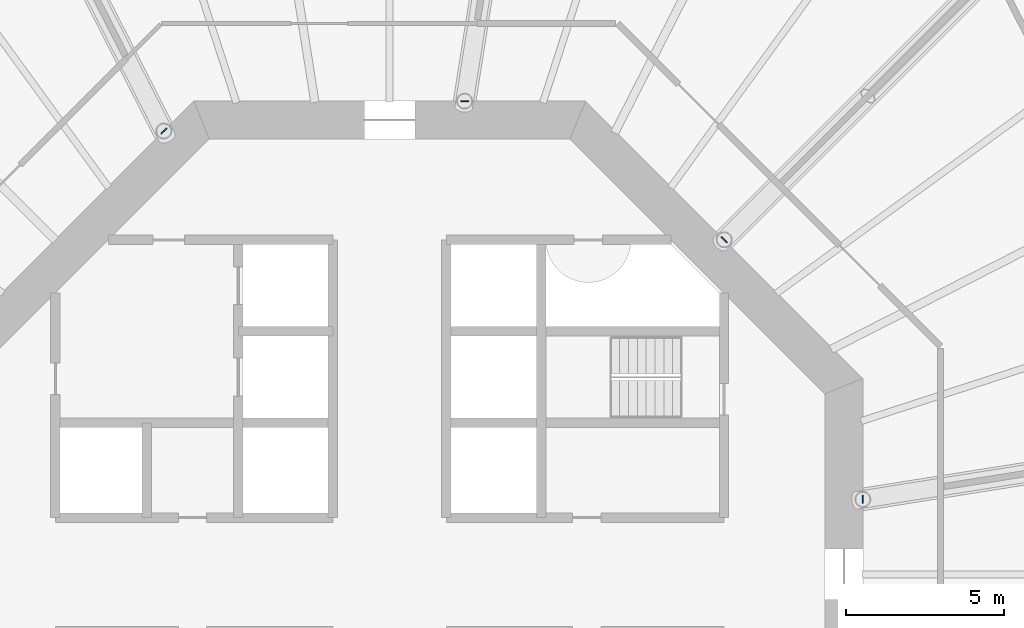
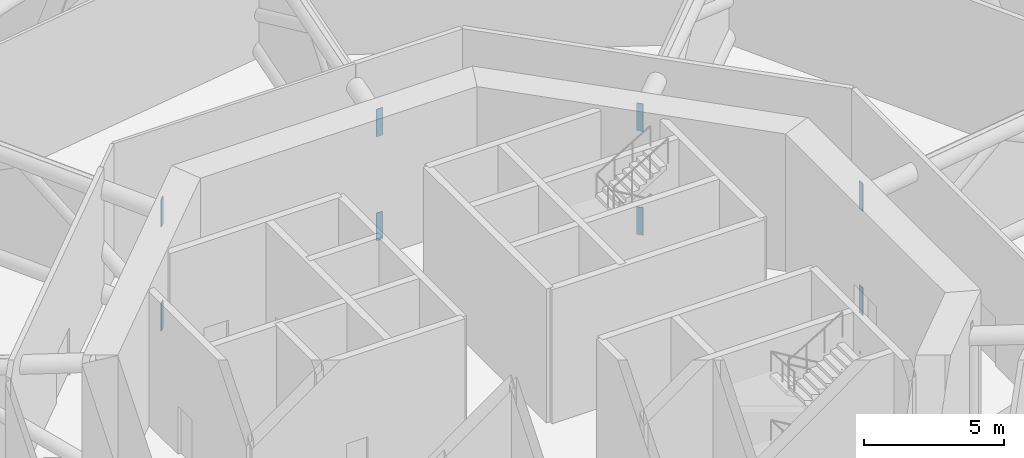
# One storey, part 12 of 18: 8 discrete accessories.
"""IFC4 building model written with IfcOpenShell, lengths in metres."""

from ifc_helpers import new_model, si_unit, direction, frame, origin, origin_2d, place, context, subcontext, project, spatial, rectangle, extrude, material, element, save


model = new_model("IFC4")

# Units and contexts
model_context = context("Model", 3, precision=1e-05, world=origin(), true_north=direction((0.0, 1.0)))
body_context = subcontext(model_context, "Body", "Model", "MODEL_VIEW")
ifc_project = project(units=[si_unit("LENGTHUNIT", "METRE"), si_unit("AREAUNIT", "SQUARE_METRE"), si_unit("VOLUMEUNIT", "CUBIC_METRE"), si_unit("PLANEANGLEUNIT", "RADIAN"), si_unit("MASSUNIT", "GRAM", prefix="KILO")], contexts=[model_context])

# Site, building, storey
site_placement = place(None, origin())
site = spatial("IfcSite", under=ifc_project, at=site_placement, CompositionType="ELEMENT")
building_placement = place(site_placement, origin())
building = spatial("IfcBuilding", under=site, at=building_placement, Name="Entoto Ring Tower", CompositionType="ELEMENT")
storey_placement = place(building_placement, frame((0.0, 0.0, 138.0)))
storey = spatial("IfcBuildingStorey", under=building, at=storey_placement, Name="L31", CompositionType="ELEMENT", Elevation=138.0)

# Discrete accessories
ifc_material = material(Name="Steel S355", Category="steel")
for number, where, z_axis, x_axis, name in (
    (1, (105.0, 82.375732421875, -0.24462890625), (0.0, 0.0, 1.0), (1.0, 0.0, 0.0), "Embedded plate L31 bottom 01"),
    (2, (105.0, 82.375732421875, 4.29443359375), (0.0, 0.0, 1.0), (1.0, 0.0, 0.0), "Embedded plate L31 top 01"),
    (3, (100.606689453125, 90.606689453125, -0.24462890625), (0.0, 0.0, 1.0), (0.707106781187, 0.707106781187, 0.0), "Embedded plate L31 bottom 02"),
    (4, (100.606689453125, 90.606689453125, 4.29443359375), (0.0, 0.0, 1.0), (0.707106781187, 0.707106781187, 0.0), "Embedded plate L31 top 02"),
    (5, (92.375732421875, 95.0, -0.24462890625), (0.0, 0.0, 1.0), (0.0, 1.0, 0.0), "Embedded plate L31 bottom 03"),
    (6, (92.375732421875, 95.0, 4.29443359375), (0.0, 0.0, 1.0), (0.0, 1.0, 0.0), "Embedded plate L31 top 03"),
    (7, (82.839599609375, 94.052978515625, -0.24462890625), (0.0, 0.0, 1.0), (-0.707106781187, 0.707106781187, 0.0), "Embedded plate L31 bottom 04"),
    (8, (82.839599609375, 94.052978515625, 4.29443359375), (0.0, 0.0, 1.0), (-0.707106781187, 0.707106781187, 0.0), "Embedded plate L31 top 04"),
):
    element("IfcDiscreteAccessory", number, at=place(storey_placement, frame(where, z_axis=z_axis, x_axis=x_axis)), inside=storey, material=ifc_material, Name=name, PredefinedType="ANCHORPLATE", context=body_context, shape_type="SweptSolid", body=[
        extrude(rectangle(XDim=0.0400390625, YDim=0.25, at=origin_2d()), origin(), (0.0, 0.0, 1.0), 1.199951171875),
    ])

save(model, "model.ifc")
